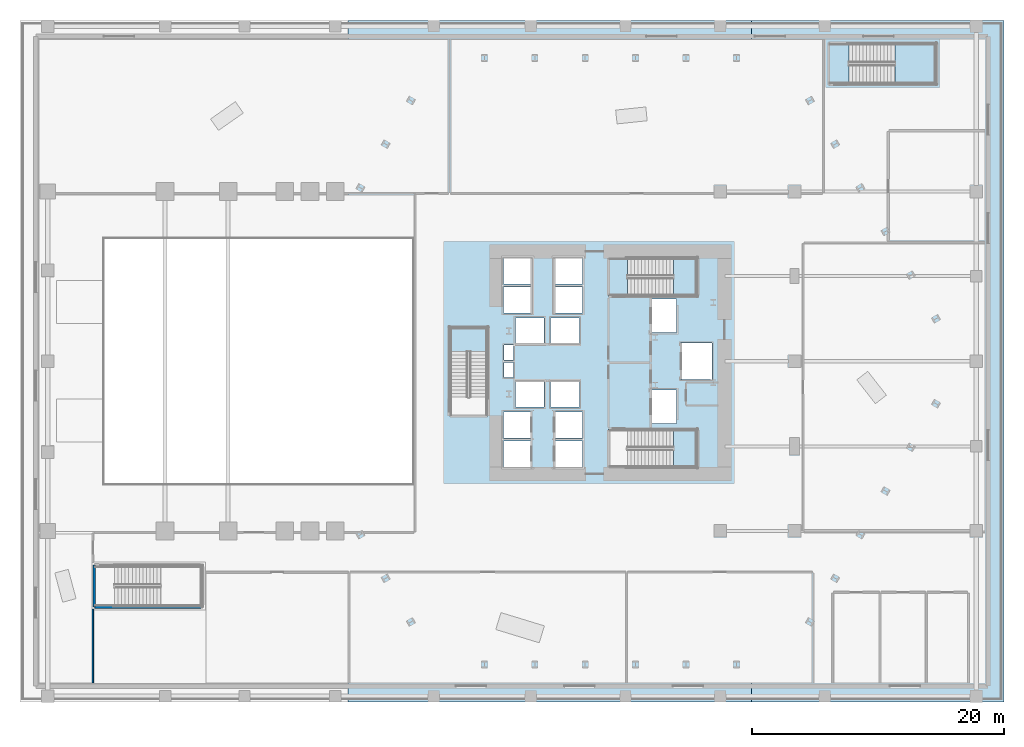
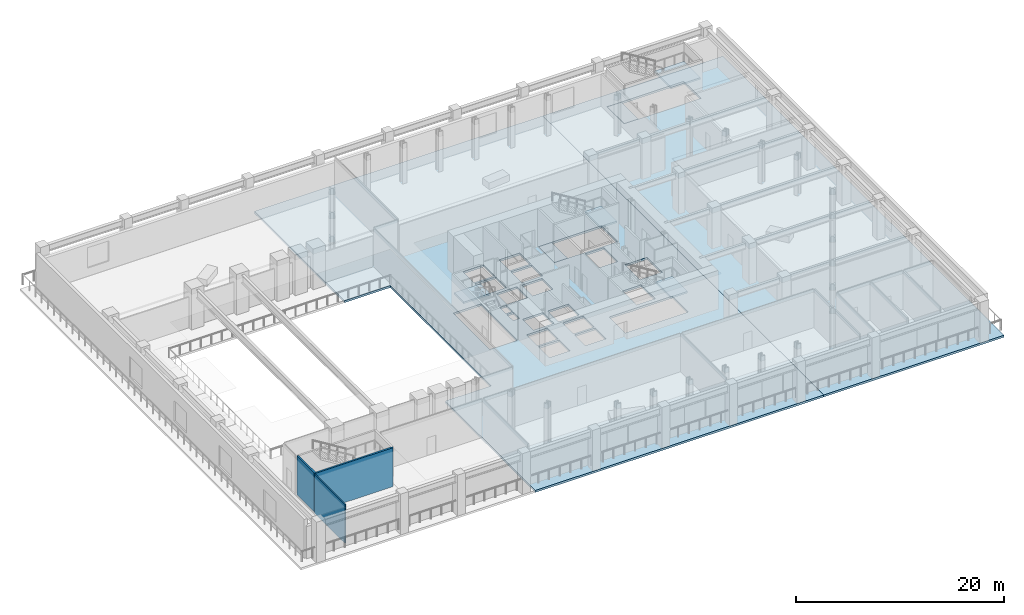
# One storey, part 2 of 19: 8 slabs, 3 walls, 4 elements without a shape of their own.
"""IFC4 building model written with IfcOpenShell, lengths in metres."""

from ifc_helpers import new_model, si_unit, direction, frame, frame_2d, origin, place, context, subcontext, project, spatial, polyline, rectangle, outline, extrude, material, layer, layer_set, type_object, element, aggregate, save


model = new_model("IFC4")

# Units and contexts
model_context = context("Model", 3, precision=1e-05, world=origin(), true_north=direction((0.0, 1.0)))
body_context = subcontext(model_context, "Body", "Model", "MODEL_VIEW")
ifc_project = project(units=[si_unit("LENGTHUNIT", "METRE"), si_unit("AREAUNIT", "SQUARE_METRE"), si_unit("VOLUMEUNIT", "CUBIC_METRE"), si_unit("PLANEANGLEUNIT", "RADIAN"), si_unit("MASSUNIT", "GRAM", prefix="KILO")], contexts=[model_context])

# Site, building, storey
site_placement = place(None, origin())
site = spatial("IfcSite", under=ifc_project, at=site_placement, CompositionType="ELEMENT")
building_placement = place(site_placement, origin())
building = spatial("IfcBuilding", under=site, at=building_placement, Name="Valkerne Bourse Tower", CompositionType="ELEMENT")
storey_placement = place(building_placement, frame((0.0, 0.0, 5.39990234375)))
storey = spatial("IfcBuildingStorey", under=building, at=storey_placement, Name="L01", CompositionType="ELEMENT", Elevation=5.39990234375)

# Slabs
ifc_material_1 = material(Name="Concrete C40/50", Category="concrete")
ifc_layer_1 = layer(ifc_material_1, 0.239990234375)
ifc_layer_set_1 = layer_set([ifc_layer_1], Name="Concrete C40/50")
slab_type_1 = type_object("IfcSlabType", Name="SLB-POD-240", PredefinedType="FLOOR", material=ifc_layer_set_1)
slab_1_placement = place(storey_placement, frame((0.0, 0.0, -0.239990234375)))
element("IfcSlab", 1, at=slab_1_placement, inside=storey, type_object=slab_type_1, Name="L01 Podium Composite Floor Slab C", PredefinedType="FLOOR", context=body_context, shape_type="SweptSolid", body=[
    extrude(outline(polyline([(26.0, 54.0), (58.0, 54.0), (58.0, 0.0), (26.0, 0.0), (26.0, 17.300048828125), (31.10009765625, 17.300048828125), (31.10009765625, 36.699951171875), (26.0, 36.699951171875), (26.0, 54.0)]), holes=[polyline([(40.590087890625, 18.610107421875), (40.590087890625, 20.68994140625), (38.31005859375, 20.68994140625), (38.31005859375, 18.610107421875), (40.590087890625, 18.610107421875)]), polyline([(40.590087890625, 20.909912109375), (40.590087890625, 22.989990234375), (38.31005859375, 22.989990234375), (38.31005859375, 20.909912109375), (40.590087890625, 20.909912109375)]), polyline([(39.260009765625, 23.360107421875), (41.5400390625, 23.360107421875), (41.5400390625, 25.43994140625), (39.260009765625, 25.43994140625), (39.260009765625, 23.360107421875)]), polyline([(37.114990234375, 22.6650390625), (37.114990234375, 29.675048828125), (34.034912109375, 29.675048828125), (34.034912109375, 22.6650390625), (37.114990234375, 22.6650390625)]), polyline([(39.10009765625, 25.72998046875), (39.10009765625, 26.89990234375), (38.3798828125, 26.89990234375), (38.3798828125, 25.72998046875), (39.10009765625, 25.72998046875)]), polyline([(38.3798828125, 27.10009765625), (39.10009765625, 27.10009765625), (39.10009765625, 28.27001953125), (38.3798828125, 28.27001953125), (38.3798828125, 27.10009765625)]), polyline([(41.5400390625, 28.360107421875), (41.5400390625, 30.43994140625), (39.260009765625, 30.43994140625), (39.260009765625, 28.360107421875), (41.5400390625, 28.360107421875)]), polyline([(42.06005859375, 28.360107421875), (44.340087890625, 28.360107421875), (44.340087890625, 30.43994140625), (42.06005859375, 30.43994140625), (42.06005859375, 28.360107421875)]), polyline([(38.31005859375, 30.81005859375), (40.590087890625, 30.81005859375), (40.590087890625, 32.889892578125), (38.31005859375, 32.889892578125), (38.31005859375, 30.81005859375)]), polyline([(40.590087890625, 33.110107421875), (40.590087890625, 35.18994140625), (38.31005859375, 35.18994140625), (38.31005859375, 33.110107421875), (40.590087890625, 33.110107421875)]), polyline([(42.31005859375, 18.610107421875), (44.590087890625, 18.610107421875), (44.590087890625, 20.68994140625), (42.31005859375, 20.68994140625), (42.31005859375, 18.610107421875)]), polyline([(46.6650390625, 18.534912109375), (53.675048828125, 18.534912109375), (53.675048828125, 21.614990234375), (46.6650390625, 21.614990234375), (46.6650390625, 18.534912109375)]), polyline([(44.590087890625, 20.909912109375), (44.590087890625, 22.989990234375), (42.31005859375, 22.989990234375), (42.31005859375, 20.909912109375), (44.590087890625, 20.909912109375)]), polyline([(49.9599609375, 22.06005859375), (52.0400390625, 22.06005859375), (52.0400390625, 24.739990234375), (49.9599609375, 24.739990234375), (49.9599609375, 22.06005859375)]), polyline([(42.06005859375, 23.360107421875), (44.340087890625, 23.360107421875), (44.340087890625, 25.43994140625), (42.06005859375, 25.43994140625), (42.06005859375, 23.360107421875)]), polyline([(54.840087890625, 25.56005859375), (54.840087890625, 28.43994140625), (52.360107421875, 28.43994140625), (52.360107421875, 25.56005859375), (54.840087890625, 25.56005859375)]), polyline([(49.9599609375, 29.260009765625), (52.0400390625, 29.260009765625), (52.0400390625, 31.93994140625), (49.9599609375, 31.93994140625), (49.9599609375, 29.260009765625)]), polyline([(42.31005859375, 30.81005859375), (44.590087890625, 30.81005859375), (44.590087890625, 32.889892578125), (42.31005859375, 32.889892578125), (42.31005859375, 30.81005859375)]), polyline([(53.675048828125, 32.135009765625), (53.675048828125, 35.215087890625), (46.6650390625, 35.215087890625), (46.6650390625, 32.135009765625), (53.675048828125, 32.135009765625)]), polyline([(42.31005859375, 33.110107421875), (44.590087890625, 33.110107421875), (44.590087890625, 35.18994140625), (42.31005859375, 35.18994140625), (42.31005859375, 33.110107421875)])]), origin(), (0.0, 0.0, 1.0), 0.239990234375),
])
slab_2_placement = place(storey_placement, frame((0.0, 0.0, -0.239990234375)))
element("IfcSlab", 2, at=slab_2_placement, inside=storey, type_object=slab_type_1, Name="L01 Podium Composite Floor Slab E", PredefinedType="FLOOR", context=body_context, shape_type="SweptSolid", body=[
    extrude(outline(polyline([(58.0, 0.0), (58.0, 54.0), (78.0, 54.0), (78.0, 0.0), (58.0, 0.0)]), holes=[polyline([(64.114990234375, 48.93505859375), (72.625, 48.93505859375), (72.625, 52.215087890625), (64.114990234375, 52.215087890625), (64.114990234375, 48.93505859375)])]), origin(), (0.0, 0.0, 1.0), 0.239990234375),
])
ifc_layer_2 = layer(ifc_material_1, 0.25)
ifc_layer_set_2 = layer_set([ifc_layer_2], Name="Concrete C40/50")
slab_type_2 = type_object("IfcSlabType", Name="SLB-RMP-LND-250", PredefinedType="LANDING", material=ifc_layer_set_2)
slab_3_placement = place(storey_placement, frame((0.0, 0.0, -0.239990234375)))
element("IfcSlab", 3, at=slab_3_placement, inside=storey, type_object=slab_type_2, Name="L01 ST-2 Floor Landing Slab", PredefinedType="LANDING", context=body_context, shape_type="SweptSolid", body=[
    extrude(outline(polyline([(46.669921875, 32.139892578125), (48.14990234375, 32.139892578125), (48.14990234375, 35.2099609375), (46.669921875, 35.2099609375), (46.669921875, 32.139892578125)])), origin(), (0.0, 0.0, 1.0), 0.239990234375),
])
slab_4_placement = place(storey_placement, frame((0.0, 0.0, -0.239990234375)))
element("IfcSlab", 4, at=slab_4_placement, inside=storey, type_object=slab_type_2, Name="L01 ST-P2 Floor Landing Slab", PredefinedType="LANDING", context=body_context, shape_type="SweptSolid", body=[
    extrude(outline(polyline([(64.1201171875, 48.93994140625), (65.699951171875, 48.93994140625), (65.699951171875, 52.2099609375), (64.1201171875, 52.2099609375), (64.1201171875, 48.93994140625)])), origin(), (0.0, 0.0, 1.0), 0.239990234375),
])

# Stair, slab
stair_type_1 = type_object("IfcStairType", Name="ST-CORE-1400", PredefinedType="HALF_TURN_STAIR", material=ifc_material_1)
stair_1_placement = place(storey_placement, origin())
stair_1 = element("IfcStair", 5, at=stair_1_placement, inside=storey, type_object=stair_type_1, Name="L01 ST-1", PredefinedType="HALF_TURN_STAIR")
ifc_layer_3 = layer(ifc_material_1, 0.179931640625)
ifc_layer_set_3 = layer_set([ifc_layer_3], Name="Concrete C40/50")
slab_type_3 = type_object("IfcSlabType", Name="SLB-ST-LND-180", PredefinedType="LANDING", material=ifc_layer_set_3)
slab_5_placement = place(storey_placement, frame((0.0, 0.0, 2.2001953125)))
slab_5 = element("IfcSlab", 6, at=slab_5_placement, type_object=slab_type_3, Name="ST-1 landing 1", PredefinedType="LANDING", context=body_context, shape_type="SweptSolid", body=[
    extrude(outline(polyline([(51.7900390625, 18.60009765625), (53.64990234375, 18.60009765625), (53.64990234375, 21.550048828125), (51.7900390625, 21.550048828125), (51.7900390625, 18.60009765625)])), origin(), (0.0, 0.0, 1.0), 0.199951171875),
])
aggregate(stair_1, [slab_5])

stair_2_placement = place(storey_placement, origin())
stair_2 = element("IfcStair", 7, at=stair_2_placement, inside=storey, type_object=stair_type_1, Name="L01 ST-2", PredefinedType="HALF_TURN_STAIR")
slab_6_placement = place(storey_placement, frame((0.0, 0.0, 2.2001953125)))
slab_6 = element("IfcSlab", 8, at=slab_6_placement, type_object=slab_type_3, Name="ST-2 landing 1", PredefinedType="LANDING", context=body_context, shape_type="SweptSolid", body=[
    extrude(outline(polyline([(51.7900390625, 32.199951171875), (53.64990234375, 32.199951171875), (53.64990234375, 35.14990234375), (51.7900390625, 35.14990234375), (51.7900390625, 32.199951171875)])), origin(), (0.0, 0.0, 1.0), 0.199951171875),
])
aggregate(stair_2, [slab_6])

stair_3_placement = place(storey_placement, origin())
stair_3 = element("IfcStair", 9, at=stair_3_placement, inside=storey, type_object=stair_type_1, Name="L01 ST-3", PredefinedType="HALF_TURN_STAIR")
slab_7_placement = place(storey_placement, frame((0.0, 0.0, 2.2001953125)))
slab_7 = element("IfcSlab", 10, at=slab_7_placement, type_object=slab_type_3, Name="ST-3 landing 1", PredefinedType="LANDING", context=body_context, shape_type="SweptSolid", body=[
    extrude(outline(polyline([(37.050048828125, 27.7900390625), (37.050048828125, 29.64990234375), (34.10009765625, 29.64990234375), (34.10009765625, 27.7900390625), (37.050048828125, 27.7900390625)])), origin(), (0.0, 0.0, 1.0), 0.199951171875),
])
aggregate(stair_3, [slab_7])

stair_type_2 = type_object("IfcStairType", Name="ST-POD-1500", PredefinedType="HALF_TURN_STAIR", material=ifc_material_1)
stair_4_placement = place(storey_placement, origin())
stair_4 = element("IfcStair", 11, at=stair_4_placement, inside=storey, type_object=stair_type_2, Name="L01 ST-P2", PredefinedType="HALF_TURN_STAIR")
slab_8_placement = place(storey_placement, frame((0.0, 0.0, 2.2001953125)))
slab_8 = element("IfcSlab", 12, at=slab_8_placement, type_object=slab_type_3, Name="ST-P2 landing 1", PredefinedType="LANDING", context=body_context, shape_type="SweptSolid", body=[
    extrude(outline(polyline([(69.340087890625, 49.0), (72.60009765625, 49.0), (72.60009765625, 52.14990234375), (69.340087890625, 52.14990234375), (69.340087890625, 49.0)])), origin(), (0.0, 0.0, 1.0), 0.199951171875),
])
aggregate(stair_4, [slab_8])

# Walls
ifc_material_2 = material(Name="Gypsum Board Steel-Stud Partition", Category="steel")
ifc_layer_4 = layer(ifc_material_2, 0.117919921875)
ifc_layer_set_4 = layer_set([ifc_layer_4], Name="Gypsum Board Steel-Stud Partition")
wall_type_1 = type_object("IfcWallType", Name="W-CORR-140", PredefinedType="PARTITIONING", material=ifc_layer_set_4)
wall_1_placement = place(storey_placement, frame((5.780029296875, 1.5, 0.0), z_axis=(0.0, 0.0, 1.0), x_axis=(0.0, 1.0, 0.0)))
element("IfcWall", 13, at=wall_1_placement, inside=storey, type_object=wall_type_1, Name="L01 L01 South-West Operations Office Wall", PredefinedType="PARTITIONING", context=body_context, shape_type="SweptSolid", body=[
    extrude(rectangle(XDim=5.85009765625, YDim=0.117919921875, at=frame_2d((2.925048828125, 0.0))), origin(), (0.0, 0.0, 1.0), 4.56005859375),
])
ifc_layer_5 = layer(ifc_material_1, 0.199951171875)
ifc_layer_set_5 = layer_set([ifc_layer_5], Name="Concrete C40/50")
wall_type_2 = type_object("IfcWallType", Name="W-SHF-200", PredefinedType="SHEAR", material=ifc_layer_set_5)
wall_2_placement = place(storey_placement, frame((5.89990234375, 7.5, 0.0), z_axis=(0.0, 0.0, 1.0), x_axis=(1.0, 0.0, 0.0)))
element("IfcWall", 14, at=wall_2_placement, inside=storey, type_object=wall_type_2, Name="L01 Exit Stair ST-P1 Structural South Wall", PredefinedType="SHEAR", context=body_context, shape_type="SweptSolid", body=[
    extrude(rectangle(XDim=8.60009765625, YDim=0.199951171875, at=frame_2d((4.300048828125, 0.0))), origin(), (0.0, 0.0, 1.0), 4.56005859375),
])
wall_3_placement = place(storey_placement, frame((5.89990234375, 7.5, 0.0), z_axis=(0.0, 0.0, 1.0), x_axis=(0.0, 1.0, 0.0)))
element("IfcWall", 15, at=wall_3_placement, inside=storey, type_object=wall_type_2, Name="L01 Exit Stair ST-P1 Structural West Wall", PredefinedType="SHEAR", context=body_context, shape_type="SweptSolid", body=[
    extrude(rectangle(XDim=3.35009765625, YDim=0.199951171875, at=frame_2d((1.675048828125, 0.0))), origin(), (0.0, 0.0, 1.0), 4.56005859375),
])

save(model, "model.ifc")
